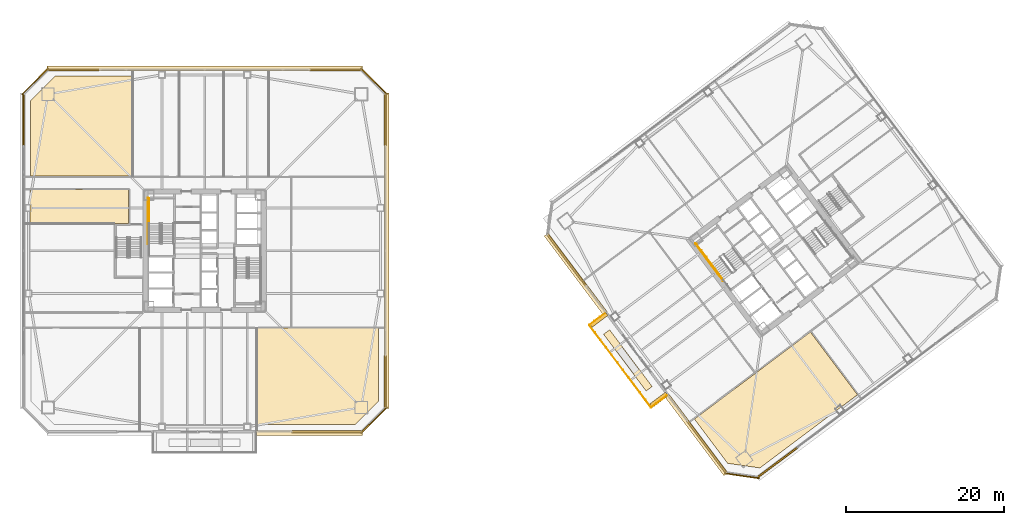
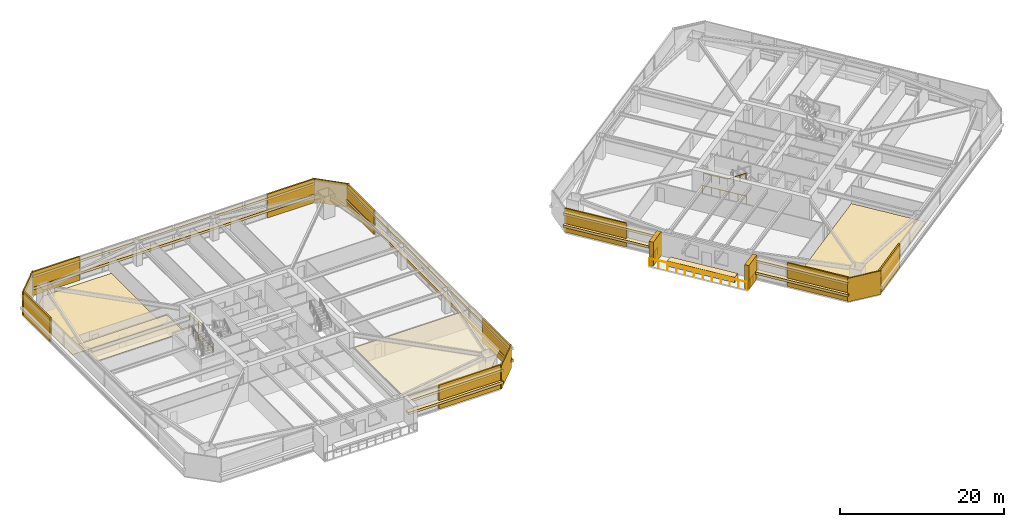
# One storey, part 43 of 48: 30 coverings, 8 railings.
"""IFC4 building model written with IfcOpenShell, lengths in metres."""

from ifc_helpers import new_model, si_unit, direction, frame, origin, origin_2d, place, context, subcontext, project, spatial, polyline, rectangle, outline, extrude, material, layer, layer_set, type_object, element, save


model = new_model("IFC4")

# Units and contexts
model_context = context("Model", 3, precision=1e-05, world=origin(), true_north=direction((0.0, 1.0)))
body_context = subcontext(model_context, "Body", "Model", "MODEL_VIEW")
ifc_project = project(units=[si_unit("LENGTHUNIT", "METRE"), si_unit("AREAUNIT", "SQUARE_METRE"), si_unit("VOLUMEUNIT", "CUBIC_METRE"), si_unit("PLANEANGLEUNIT", "RADIAN"), si_unit("MASSUNIT", "GRAM", prefix="KILO")], contexts=[model_context])

# Site, building, storey
site_placement = place(None, origin())
site = spatial("IfcSite", under=ifc_project, at=site_placement, CompositionType="ELEMENT")
building_placement = place(site_placement, origin())
building = spatial("IfcBuilding", under=site, at=building_placement, Name="Tashvorn Skyway Center", CompositionType="ELEMENT")
storey_placement = place(building_placement, frame((0.0, 0.0, 56.550048828125)))
storey = spatial("IfcBuildingStorey", under=building, at=storey_placement, Name="L14", CompositionType="ELEMENT", Elevation=56.550048828125)

# Coverings
ifc_material_1 = material(Name="Precast concrete C40/50", Category="concrete")
ifc_layer_1 = layer(ifc_material_1, 0.199951171875)
ifc_layer_set_1 = layer_set([ifc_layer_1], Name="Precast concrete C40/50")
covering_type_1 = type_object("IfcCoveringType", Name="COV-BRACE-CLAD", PredefinedType="CLADDING", material=ifc_layer_set_1)
covering_1_placement = place(storey_placement, frame((57.453369140625, 9.1201171875, 0.0), z_axis=(0.0, 0.0, 1.0), x_axis=(-1.0, 0.0, 0.0)))
element("IfcCovering", 1, at=covering_1_placement, inside=storey, type_object=covering_type_1, Name="Tower 1 L14 South Curtain Wall L Mega-Brace Cladding Band 1", PredefinedType="CLADDING", context=body_context, shape_type="SweptSolid", body=[
    extrude(rectangle(XDim=8.853271484375, YDim=0.199951171875, at=origin_2d()), origin(), (0.0, 0.0, 1.0), 3.550048828125),
])
for number, where, z_axis, x_axis, name in (
    (2, (19.1201171875, 48.566650390625, 0.0), (0.0, 0.0, 1.0), (0.0, 1.0, 0.0), "Tower 1 L14 West Unitised Curtain Wall Mega-Brace Cladding Band 2"),
    (3, (25.433349609375, 54.8798828125, 0.0), (0.0, 0.0, 1.0), (1.0, 0.0, 0.0), "Tower 1 L14 North Unitised Curtain Wall Mega-Brace Cladding Band 1"),
    (4, (58.566650390625, 54.8798828125, 0.0), (0.0, 0.0, 1.0), (1.0, 0.0, 0.0), "Tower 1 L14 North Unitised Curtain Wall Mega-Brace Cladding Band 2"),
    (5, (64.8798828125, 48.566650390625, 0.0), (0.0, 0.0, 1.0), (0.0, -1.0, 0.0), "Tower 1 L14 East Unitised Curtain Wall Mega-Brace Cladding Band 1"),
    (6, (64.8798828125, 15.433349609375, 0.0), (0.0, 0.0, 1.0), (0.0, -1.0, 0.0), "Tower 1 L14 East Unitised Curtain Wall Mega-Brace Cladding Band 2"),
):
    element("IfcCovering", number, at=place(storey_placement, frame(where, z_axis=z_axis, x_axis=x_axis)), inside=storey, type_object=covering_type_1, Name=name, PredefinedType="CLADDING", context=body_context, shape_type="SweptSolid", body=[
        extrude(rectangle(XDim=6.626708984375, YDim=0.199951171875, at=origin_2d()), origin(), (0.0, 0.0, 1.0), 3.550048828125),
    ])
covering_2_placement = place(storey_placement, frame((114.42138671875, 5.216064453125, 0.0), z_axis=(0.0, 0.0, 1.0), x_axis=(-0.799999996291, -0.600000004945, 0.0)))
element("IfcCovering", 7, at=covering_2_placement, inside=storey, type_object=covering_type_1, Name="Tower 2 L14 South Unitised Curtain Wall Mega-Brace Cladding Band 2", PredefinedType="CLADDING", context=body_context, shape_type="SweptSolid", body=[
    extrude(rectangle(XDim=6.29345703125, YDim=0.199951171875, at=origin_2d()), origin(), (0.0, 0.0, 1.0), 3.550048828125),
])
for number, where, z_axis, x_axis, name in (
    (8, (105.528076171875, 7.16259765625, 0.0), (0.0, 0.0, 1.0), (-0.600000004945, 0.799999996291, 0.0), "Tower 2 L14 West Curtain Wall L Mega-Brace Cladding Band 1"),
    (9, (87.783935546875, 30.8212890625, 0.0), (0.0, 0.0, 1.0), (-0.600000004945, 0.799999996291, 0.0), "Tower 2 L14 West Curtain Wall R Mega-Brace Cladding Band 1"),
):
    element("IfcCovering", number, at=place(storey_placement, frame(where, z_axis=z_axis, x_axis=x_axis)), inside=storey, type_object=covering_type_1, Name=name, PredefinedType="CLADDING", context=body_context, shape_type="SweptSolid", body=[
        extrude(rectangle(XDim=8.1865234375, YDim=0.199951171875, at=origin_2d()), origin(), (0.0, 0.0, 1.0), 3.550048828125),
    ])
ifc_material_2 = material(Name="Mineral-fibre acoustic ceiling tile on suspended grid")
ifc_layer_2 = layer(ifc_material_2, 0.02001953125)
ifc_layer_set_2 = layer_set([ifc_layer_2], Name="Mineral-fibre acoustic ceiling tile on suspended grid")
covering_type_2 = type_object("IfcCoveringType", Name="COV-CEIL-20", PredefinedType="CEILING", material=ifc_layer_set_2)
covering_3_placement = place(storey_placement, frame((0.0, 0.0, 2.682861328125)))
element("IfcCovering", 10, at=covering_3_placement, inside=storey, type_object=covering_type_2, Name="Tower 1 L14 Collaborative Studio Acoustic Ceiling", PredefinedType="CEILING", context=body_context, shape_type="SweptSolid", body=[
    extrude(outline(polyline([(48.719970703125, 10.02001953125), (48.719970703125, 22.239990234375), (63.97998046875, 22.239990234375), (63.97998046875, 12.97998046875), (61.02001953125, 10.02001953125), (48.719970703125, 10.02001953125)])), origin(), (0.0, 0.0, 1.0), 0.02001953125),
])
covering_4_placement = place(storey_placement, frame((0.0, 0.0, 2.682861328125)))
element("IfcCovering", 11, at=covering_4_placement, inside=storey, type_object=covering_type_2, Name="Tower 1 L14 Design Studio Acoustic Ceiling", PredefinedType="CEILING", context=body_context, shape_type="SweptSolid", body=[
    extrude(outline(polyline([(32.3701171875, 39.719970703125), (32.3701171875, 35.47998046875), (19.89990234375, 35.47998046875), (19.89990234375, 39.719970703125), (32.3701171875, 39.719970703125)])), origin(), (0.0, 0.0, 1.0), 0.02001953125),
])
ifc_material_3 = material(Name="Polished Mojave desert-aggregate terrazzo and cover plate")
ifc_layer_3 = layer(ifc_material_3, 0.0400390625)
ifc_layer_set_3 = layer_set([ifc_layer_3], Name="Polished Mojave desert-aggregate terrazzo and cover plate")
covering_type_3 = type_object("IfcCoveringType", Name="COV-FLR-40", PredefinedType="FLOORING", material=ifc_layer_set_3)
covering_5_placement = place(storey_placement, origin())
element("IfcCovering", 12, at=covering_5_placement, inside=storey, type_object=covering_type_3, Name="Tower 1 L14 Research Library Finish Flooring", PredefinedType="FLOORING", context=body_context, shape_type="SweptSolid", body=[
    extrude(outline(polyline([(32.820068359375, 41.429931640625), (19.97998046875, 41.429931640625), (19.97998046875, 50.97998046875), (23.10009765625, 54.10009765625), (32.820068359375, 54.10009765625), (32.820068359375, 41.429931640625)])), origin(), (0.0, 0.0, 1.0), 0.0400390625),
])
covering_6_placement = place(storey_placement, origin())
element("IfcCovering", 13, at=covering_6_placement, inside=storey, type_object=covering_type_3, Name="Tower 2 L14 Operations Control Room Finish Flooring", PredefinedType="FLOORING", context=body_context, shape_type="SweptSolid", body=[
    extrude(outline(polyline([(112.219970703125, 4.5400390625), (108.132080078125, 5.1240234375), (103.931884765625, 10.72412109375), (118.60400390625, 21.72802734375), (124.555908203125, 13.7919921875), (112.219970703125, 4.5400390625)])), origin(), (0.0, 0.0, 1.0), 0.0400390625),
])
ifc_material_4 = material(Name="Perforated ceramic-coated bronze aluminium solar screen", Category="aluminium")
ifc_layer_4 = layer(ifc_material_4, 0.85009765625)
ifc_layer_set_4 = layer_set([ifc_layer_4], Name="Perforated ceramic-coated bronze aluminium solar screen")
covering_type_4 = type_object("IfcCoveringType", Name="COV-SOLAR-BAND", PredefinedType="CLADDING", material=ifc_layer_set_4)
for number, where, z_axis, x_axis, name in (
    (14, (55.239990234375, 8.97998046875, 0.919921875), (0.0, 0.0, 1.0), (-1.0, 0.0, 0.0), "L14 Perforated Ceramic-Metal Solar Screen Louvre Band South 1"),
    (15, (55.239990234375, 8.97998046875, 2.7197265625), (0.0, 0.0, 1.0), (-1.0, 0.0, 0.0), "L14 Perforated Ceramic-Metal Solar Screen Louvre Band South 2"),
):
    element("IfcCovering", number, at=place(storey_placement, frame(where, z_axis=z_axis, x_axis=x_axis)), inside=storey, type_object=covering_type_4, Name=name, PredefinedType="CLADDING", context=body_context, shape_type="SweptSolid", body=[
        extrude(rectangle(XDim=13.39990234375, YDim=0.639892578125, at=origin_2d()), origin(), (0.0, 0.0, 1.0), 0.360107421875),
    ])
for number, where, z_axis, x_axis, name in (
    (16, (42.0, 55.02001953125, 0.919921875), (0.0, 0.0, 1.0), (1.0, 0.0, 0.0), "L14 Perforated Ceramic-Metal Solar Screen Louvre Band North 1"),
    (17, (42.0, 55.02001953125, 2.7197265625), (0.0, 0.0, 1.0), (1.0, 0.0, 0.0), "L14 Perforated Ceramic-Metal Solar Screen Louvre Band North 2"),
    (18, (65.02001953125, 32.0, 0.919921875), (0.0, 0.0, 1.0), (0.0, -1.0, 0.0), "L14 Perforated Ceramic-Metal Solar Screen Louvre Band East 1"),
    (19, (65.02001953125, 32.0, 2.7197265625), (0.0, 0.0, 1.0), (0.0, -1.0, 0.0), "L14 Perforated Ceramic-Metal Solar Screen Louvre Band East 2"),
):
    element("IfcCovering", number, at=place(storey_placement, frame(where, z_axis=z_axis, x_axis=x_axis)), inside=storey, type_object=covering_type_4, Name=name, PredefinedType="CLADDING", context=body_context, shape_type="SweptSolid", body=[
        extrude(rectangle(XDim=39.8798828125, YDim=0.639892578125, at=origin_2d()), origin(), (0.0, 0.0, 1.0), 0.360107421875),
    ])
for number, where, z_axis, x_axis, name in (
    (20, (104.18798828125, 8.716064453125, 0.919921875), (0.0, 0.0, 1.0), (-0.600000004945, 0.799999996291, 0.0), "L14 Perforated Ceramic-Metal Solar Screen Louvre Band West 1"),
    (21, (104.18798828125, 8.716064453125, 2.7197265625), (0.0, 0.0, 1.0), (-0.600000004945, 0.799999996291, 0.0), "L14 Perforated Ceramic-Metal Solar Screen Louvre Band West 2"),
    (22, (88.89990234375, 29.10009765625, 0.919921875), (0.0, 0.0, 1.0), (-0.600000004945, 0.799999996291, 0.0), "L14 Perforated Ceramic-Metal Solar Screen Louvre Band West 1"),
    (23, (88.89990234375, 29.10009765625, 2.7197265625), (0.0, 0.0, 1.0), (-0.600000004945, 0.799999996291, 0.0), "L14 Perforated Ceramic-Metal Solar Screen Louvre Band West 2"),
):
    element("IfcCovering", number, at=place(storey_placement, frame(where, z_axis=z_axis, x_axis=x_axis)), inside=storey, type_object=covering_type_4, Name=name, PredefinedType="CLADDING", context=body_context, shape_type="SweptSolid", body=[
        extrude(rectangle(XDim=12.39990234375, YDim=0.639892578125, at=origin_2d()), origin(), (0.0, 0.0, 1.0), 0.360107421875),
    ])
ifc_layer_5 = layer(ifc_material_1, 0.35009765625)
ifc_layer_set_5 = layer_set([ifc_layer_5], Name="Precast concrete C40/50")
covering_type_5 = type_object("IfcCoveringType", Name="COV-STONE-TRIM", PredefinedType="CLADDING", material=ifc_layer_set_5)
for number, where, z_axis, x_axis, name in (
    (24, (20.580078125, 53.419921875, 0.02001953125), (0.0, 0.0, 1.0), (-0.707106781187, -0.707106781187, 0.0), "Tower 1 L14 NW Mojave Limestone Corner Quoin"),
    (25, (63.419921875, 53.419921875, 0.02001953125), (0.0, 0.0, 1.0), (0.707106781187, -0.707106781187, 0.0), "Tower 1 L14 NE Mojave Limestone Corner Quoin"),
    (26, (63.419921875, 10.580078125, 0.02001953125), (0.0, 0.0, 1.0), (0.707106781187, 0.707106781187, 0.0), "Tower 1 L14 SE Mojave Limestone Corner Quoin"),
):
    element("IfcCovering", number, at=place(storey_placement, frame(where, z_axis=z_axis, x_axis=x_axis)), inside=storey, type_object=covering_type_5, Name=name, PredefinedType="CLADDING", context=body_context, shape_type="SweptSolid", body=[
        extrude(rectangle(XDim=4.685546875, YDim=0.139892578125, at=origin_2d()), origin(), (0.0, 0.0, 1.0), 3.510009765625),
    ])
for number, where, z_axis, x_axis, name in (
    (27, (99.449951171875, 13.14990234375, 0.0), (0.0, 0.0, 1.0), (-0.600000004945, 0.799999996291, 0.0), "Tower 2 L14 Sky Garden Loggia Pier L"),
    (28, (91.830078125, 23.31005859375, 0.0), (0.0, 0.0, 1.0), (-0.600000004945, 0.799999996291, 0.0), "Tower 2 L14 Sky Garden Loggia Pier R"),
):
    element("IfcCovering", number, at=place(storey_placement, frame(where, z_axis=z_axis, x_axis=x_axis)), inside=storey, type_object=covering_type_5, Name=name, PredefinedType="CLADDING", context=body_context, shape_type="SweptSolid", body=[
        extrude(rectangle(XDim=0.580078125, YDim=2.5, at=origin_2d()), origin(), (0.0, 0.0, 1.0), 3.550048828125),
    ])
covering_7_placement = place(storey_placement, frame((95.52001953125, 18.139892578125, 0.0), z_axis=(0.0, 0.0, 1.0), x_axis=(-0.600000004945, 0.799999996291, 0.0)))
element("IfcCovering", 29, at=covering_7_placement, inside=storey, type_object=covering_type_5, Name="Tower 2 L14 Sky Garden Stone Planter Bed", PredefinedType="CLADDING", context=body_context, shape_type="SweptSolid", body=[
    extrude(rectangle(XDim=8.97607421875, YDim=0.949951171875, at=origin_2d()), origin(), (0.0, 0.0, 1.0), 0.800048828125),
])
covering_8_placement = place(storey_placement, frame((109.93603515625, 3.552001953125, 0.02001953125), z_axis=(0.0, 0.0, 1.0), x_axis=(-0.989949494535, 0.141421350118, 0.0)))
element("IfcCovering", 30, at=covering_8_placement, inside=storey, type_object=covering_type_5, Name="Tower 2 L14 SW Mojave Limestone Corner Quoin", PredefinedType="CLADDING", context=body_context, shape_type="SweptSolid", body=[
    extrude(rectangle(XDim=4.402587890625, YDim=0.139892578125, at=origin_2d()), origin(), (0.0, 0.0, 1.0), 3.510009765625),
])

# Railings
ifc_material_5 = material(Name="Galvanized steel S355", Category="steel")
railing_type_1 = type_object("IfcRailingType", Name="RAIL-GUARD-1120", PredefinedType="GUARDRAIL", material=ifc_material_5)
railing_1_placement = place(storey_placement, frame((100.471923828125, 13.7041015625, 0.0)))
element("IfcRailing", 31, at=railing_1_placement, inside=storey, type_object=railing_type_1, Name="L14 Tower 2 Terrace Guardrail 01", PredefinedType="GUARDRAIL", context=body_context, shape_type="SweptSolid", body=[
    extrude(rectangle(XDim=0.048095703125, YDim=0.048095703125, at=origin_2d()), frame((0.0, 0.0, 1.09619140625), z_axis=(-0.799941867976, -0.600077501544, 0.0), x_axis=(0.600077501544, -0.799941867976, 0.0)), (0.0, 0.0, 1.0), 2.52001953125),
    extrude(rectangle(XDim=0.0419921875, YDim=0.0419921875, at=origin_2d()), origin(), (0.0, 0.0, 1.0), 1.072021484375),
    extrude(rectangle(XDim=0.0419921875, YDim=0.0419921875, at=origin_2d()), frame((-0.671875, -0.504150390625, 0.0)), (0.0, 0.0, 1.0), 1.072021484375),
    extrude(rectangle(XDim=0.0419921875, YDim=0.0419921875, at=origin_2d()), frame((-1.343994140625, -1.008056640625, 0.0)), (0.0, 0.0, 1.0), 1.072021484375),
    extrude(rectangle(XDim=0.0419921875, YDim=0.0419921875, at=origin_2d()), frame((-2.015869140625, -1.51220703125, 0.0)), (0.0, 0.0, 1.0), 1.072021484375),
])
railing_2_placement = place(storey_placement, frame((98.4560546875, 12.19189453125, 0.0)))
element("IfcRailing", 32, at=railing_2_placement, inside=storey, type_object=railing_type_1, Name="L14 Tower 2 Terrace Guardrail 02", PredefinedType="GUARDRAIL", context=body_context, shape_type="SweptSolid", body=[
    extrude(rectangle(XDim=0.048095703125, YDim=0.048095703125, at=origin_2d()), frame((0.0, 0.0, 1.09619140625), z_axis=(-0.599994008843, 0.800004493333, 0.0), x_axis=(-0.800004493333, -0.599994008843, 0.0)), (0.0, 0.0, 1.0), 13.0400390625),
    extrude(rectangle(XDim=0.0419921875, YDim=0.0419921875, at=origin_2d()), origin(), (0.0, 0.0, 1.0), 1.072021484375),
    extrude(rectangle(XDim=0.0419921875, YDim=0.0419921875, at=origin_2d()), frame((-0.711181640625, 0.948486328125, 0.0)), (0.0, 0.0, 1.0), 1.072021484375),
    extrude(rectangle(XDim=0.0419921875, YDim=0.0419921875, at=origin_2d()), frame((-1.422607421875, 1.896728515625, 0.0)), (0.0, 0.0, 1.0), 1.072021484375),
    extrude(rectangle(XDim=0.0419921875, YDim=0.0419921875, at=origin_2d()), frame((-2.1337890625, 2.84521484375, 0.0)), (0.0, 0.0, 1.0), 1.072021484375),
    extrude(rectangle(XDim=0.0419921875, YDim=0.0419921875, at=origin_2d()), frame((-2.844970703125, 3.79345703125, 0.0)), (0.0, 0.0, 1.0), 1.072021484375),
    extrude(rectangle(XDim=0.0419921875, YDim=0.0419921875, at=origin_2d()), frame((-3.556396484375, 4.741943359375, 0.0)), (0.0, 0.0, 1.0), 1.072021484375),
    extrude(rectangle(XDim=0.0419921875, YDim=0.0419921875, at=origin_2d()), frame((-4.267578125, 5.690185546875, 0.0)), (0.0, 0.0, 1.0), 1.072021484375),
    extrude(rectangle(XDim=0.0419921875, YDim=0.0419921875, at=origin_2d()), frame((-4.97900390625, 6.638671875, 0.0)), (0.0, 0.0, 1.0), 1.072021484375),
    extrude(rectangle(XDim=0.0419921875, YDim=0.0419921875, at=origin_2d()), frame((-5.690185546875, 7.5869140625, 0.0)), (0.0, 0.0, 1.0), 1.072021484375),
    extrude(rectangle(XDim=0.0419921875, YDim=0.0419921875, at=origin_2d()), frame((-6.4013671875, 8.535400390625, 0.0)), (0.0, 0.0, 1.0), 1.072021484375),
    extrude(rectangle(XDim=0.0419921875, YDim=0.0419921875, at=origin_2d()), frame((-7.11279296875, 9.483642578125, 0.0)), (0.0, 0.0, 1.0), 1.072021484375),
    extrude(rectangle(XDim=0.0419921875, YDim=0.0419921875, at=origin_2d()), frame((-7.823974609375, 10.43212890625, 0.0)), (0.0, 0.0, 1.0), 1.072021484375),
])
railing_3_placement = place(storey_placement, frame((90.632080078125, 22.6240234375, 0.0)))
element("IfcRailing", 33, at=railing_3_placement, inside=storey, type_object=railing_type_1, Name="L14 Tower 2 Terrace Guardrail 03", PredefinedType="GUARDRAIL", context=body_context, shape_type="SweptSolid", body=[
    extrude(rectangle(XDim=0.048095703125, YDim=0.048095703125, at=origin_2d()), frame((0.0, 0.0, 1.09619140625), z_axis=(0.79998837352, 0.60001550166, 0.0), x_axis=(-0.60001550166, 0.79998837352, 0.0)), (0.0, 0.0, 1.0), 2.519775390625),
    extrude(rectangle(XDim=0.0419921875, YDim=0.0419921875, at=origin_2d()), origin(), (0.0, 0.0, 1.0), 1.072021484375),
    extrude(rectangle(XDim=0.0419921875, YDim=0.0419921875, at=origin_2d()), frame((0.671875, 0.50390625, 0.0)), (0.0, 0.0, 1.0), 1.072021484375),
    extrude(rectangle(XDim=0.0419921875, YDim=0.0419921875, at=origin_2d()), frame((1.343994140625, 1.008056640625, 0.0)), (0.0, 0.0, 1.0), 1.072021484375),
    extrude(rectangle(XDim=0.0419921875, YDim=0.0419921875, at=origin_2d()), frame((2.015869140625, 1.511962890625, 0.0)), (0.0, 0.0, 1.0), 1.072021484375),
])
ifc_material_6 = material(Name="Brushed stainless steel 316", Category="steel")
railing_type_2 = type_object("IfcRailingType", Name="RAIL-HAND-920", PredefinedType="HANDRAIL", material=ifc_material_6)
railing_4_placement = place(storey_placement, frame((106.072021484375, 30.35400390625, 1.952392578125)))
element("IfcRailing", 34, at=railing_4_placement, inside=storey, type_object=railing_type_2, Name="L14 ST-T2-1 stair handrail 2", PredefinedType="HANDRAIL", context=body_context, shape_type="SweptSolid", body=[
    extrude(rectangle(XDim=0.048095703125, YDim=0.048095703125, at=origin_2d()), frame((0.0, 0.0, 0.8759765625), z_axis=(0.506718600913, -0.675679348675, 0.535437836974), x_axis=(0.800023250257, 0.599968998406, 0.0)), (0.0, 0.0, 1.0), 2.98388671875),
    extrude(rectangle(XDim=0.0419921875, YDim=0.0419921875, at=origin_2d()), origin(), (0.0, 0.0, 1.0), 0.851806640625),
    extrude(rectangle(XDim=0.0419921875, YDim=0.0419921875, at=origin_2d()), frame((0.50390625, -0.672119140625, 0.532470703125)), (0.0, 0.0, 1.0), 0.851806640625),
    extrude(rectangle(XDim=0.0419921875, YDim=0.0419921875, at=origin_2d()), frame((1.008056640625, -1.343994140625, 1.065185546875)), (0.0, 0.0, 1.0), 0.851806640625),
    extrude(rectangle(XDim=0.0419921875, YDim=0.0419921875, at=origin_2d()), frame((1.511962890625, -2.01611328125, 1.59765625)), (0.0, 0.0, 1.0), 0.851806640625),
])
ifc_material_7 = material(Name="Painted galvanized steel S355", Category="steel")
railing_type_3 = type_object("IfcRailingType", Name="RAIL-STGUARD-1100", PredefinedType="GUARDRAIL", material=ifc_material_7)
railing_5_placement = place(storey_placement, frame((34.949951171875, 35.43994140625, 1.77490234375)))
element("IfcRailing", 35, at=railing_5_placement, inside=storey, type_object=railing_type_3, Name="L14 ST-T1-1 stair guard 3", PredefinedType="GUARDRAIL", context=body_context, shape_type="SweptSolid", body=[
    extrude(rectangle(XDim=0.048095703125, YDim=0.048095703125, at=origin_2d()), frame((0.0, 0.0, 1.076171875), z_axis=(0.0, 1.0, 0.0), x_axis=(-1.0, 0.0, 0.0)), (0.0, 0.0, 1.0), 3.16015625),
    extrude(rectangle(XDim=0.0419921875, YDim=0.0419921875, at=origin_2d()), origin(), (0.0, 0.0, 1.0), 1.052001953125),
    extrude(rectangle(XDim=0.0419921875, YDim=0.0419921875, at=origin_2d()), frame((0.0, 1.053466796875, 0.0)), (0.0, 0.0, 1.0), 1.052001953125),
    extrude(rectangle(XDim=0.0419921875, YDim=0.0419921875, at=origin_2d()), frame((0.0, 2.106689453125, 0.0)), (0.0, 0.0, 1.0), 1.052001953125),
    extrude(rectangle(XDim=0.0419921875, YDim=0.0419921875, at=origin_2d()), frame((0.0, 3.16015625, 0.0)), (0.0, 0.0, 1.0), 1.052001953125),
])
railing_6_placement = place(storey_placement, frame((34.85009765625, 32.820068359375, 0.0)))
element("IfcRailing", 36, at=railing_6_placement, inside=storey, type_object=railing_type_3, Name="L14 ST-T1-1 stair guard 7", PredefinedType="GUARDRAIL", context=body_context, shape_type="SweptSolid", body=[
    extrude(rectangle(XDim=0.048095703125, YDim=0.048095703125, at=origin_2d()), frame((0.0, 0.0, 1.076171875), z_axis=(0.0, 1.0, 0.0), x_axis=(-1.0, 0.0, 0.0)), (0.0, 0.0, 1.0), 5.8798828125),
    extrude(rectangle(XDim=0.0419921875, YDim=0.0419921875, at=origin_2d()), origin(), (0.0, 0.0, 1.0), 1.052001953125),
    extrude(rectangle(XDim=0.0419921875, YDim=0.0419921875, at=origin_2d()), frame((0.0, 1.176025390625, 0.0)), (0.0, 0.0, 1.0), 1.052001953125),
    extrude(rectangle(XDim=0.0419921875, YDim=0.0419921875, at=origin_2d()), frame((0.0, 2.35205078125, 0.0)), (0.0, 0.0, 1.0), 1.052001953125),
    extrude(rectangle(XDim=0.0419921875, YDim=0.0419921875, at=origin_2d()), frame((0.0, 3.52783203125, 0.0)), (0.0, 0.0, 1.0), 1.052001953125),
    extrude(rectangle(XDim=0.0419921875, YDim=0.0419921875, at=origin_2d()), frame((0.0, 4.703857421875, 0.0)), (0.0, 0.0, 1.0), 1.052001953125),
    extrude(rectangle(XDim=0.0419921875, YDim=0.0419921875, at=origin_2d()), frame((0.0, 5.8798828125, 0.0)), (0.0, 0.0, 1.0), 1.052001953125),
])
railing_7_placement = place(storey_placement, frame((106.072021484375, 30.35400390625, 1.77490234375)))
element("IfcRailing", 37, at=railing_7_placement, inside=storey, type_object=railing_type_3, Name="L14 ST-T2-1 stair guard 3", PredefinedType="GUARDRAIL", context=body_context, shape_type="SweptSolid", body=[
    extrude(rectangle(XDim=0.048095703125, YDim=0.048095703125, at=origin_2d()), frame((0.0, 0.0, 1.076171875), z_axis=(-0.599987638607, 0.800009270896, 0.0), x_axis=(-0.800009270896, -0.599987638607, 0.0)), (0.0, 0.0, 1.0), 3.16015625),
    extrude(rectangle(XDim=0.0419921875, YDim=0.0419921875, at=origin_2d()), origin(), (0.0, 0.0, 1.0), 1.052001953125),
    extrude(rectangle(XDim=0.0419921875, YDim=0.0419921875, at=origin_2d()), frame((-0.632080078125, 0.8427734375, 0.0)), (0.0, 0.0, 1.0), 1.052001953125),
    extrude(rectangle(XDim=0.0419921875, YDim=0.0419921875, at=origin_2d()), frame((-1.263916015625, 1.685302734375, 0.0)), (0.0, 0.0, 1.0), 1.052001953125),
    extrude(rectangle(XDim=0.0419921875, YDim=0.0419921875, at=origin_2d()), frame((-1.89599609375, 2.528076171875, 0.0)), (0.0, 0.0, 1.0), 1.052001953125),
])
railing_8_placement = place(storey_placement, frame((107.56396484375, 28.197998046875, 0.0)))
element("IfcRailing", 38, at=railing_8_placement, inside=storey, type_object=railing_type_3, Name="L14 ST-T2-1 stair guard 7", PredefinedType="GUARDRAIL", context=body_context, shape_type="SweptSolid", body=[
    extrude(rectangle(XDim=0.048095703125, YDim=0.048095703125, at=origin_2d()), frame((0.0, 0.0, 1.076171875), z_axis=(-0.6, 0.8, 0.0), x_axis=(-0.8, -0.6, 0.0)), (0.0, 0.0, 1.0), 5.880126953125),
    extrude(rectangle(XDim=0.0419921875, YDim=0.0419921875, at=origin_2d()), origin(), (0.0, 0.0, 1.0), 1.052001953125),
    extrude(rectangle(XDim=0.0419921875, YDim=0.0419921875, at=origin_2d()), frame((-0.70556640625, 0.94091796875, 0.0)), (0.0, 0.0, 1.0), 1.052001953125),
    extrude(rectangle(XDim=0.0419921875, YDim=0.0419921875, at=origin_2d()), frame((-1.4111328125, 1.881591796875, 0.0)), (0.0, 0.0, 1.0), 1.052001953125),
    extrude(rectangle(XDim=0.0419921875, YDim=0.0419921875, at=origin_2d()), frame((-2.116943359375, 2.822509765625, 0.0)), (0.0, 0.0, 1.0), 1.052001953125),
    extrude(rectangle(XDim=0.0419921875, YDim=0.0419921875, at=origin_2d()), frame((-2.822509765625, 3.76318359375, 0.0)), (0.0, 0.0, 1.0), 1.052001953125),
    extrude(rectangle(XDim=0.0419921875, YDim=0.0419921875, at=origin_2d()), frame((-3.528076171875, 4.7041015625, 0.0)), (0.0, 0.0, 1.0), 1.052001953125),
])

save(model, "model.ifc")
